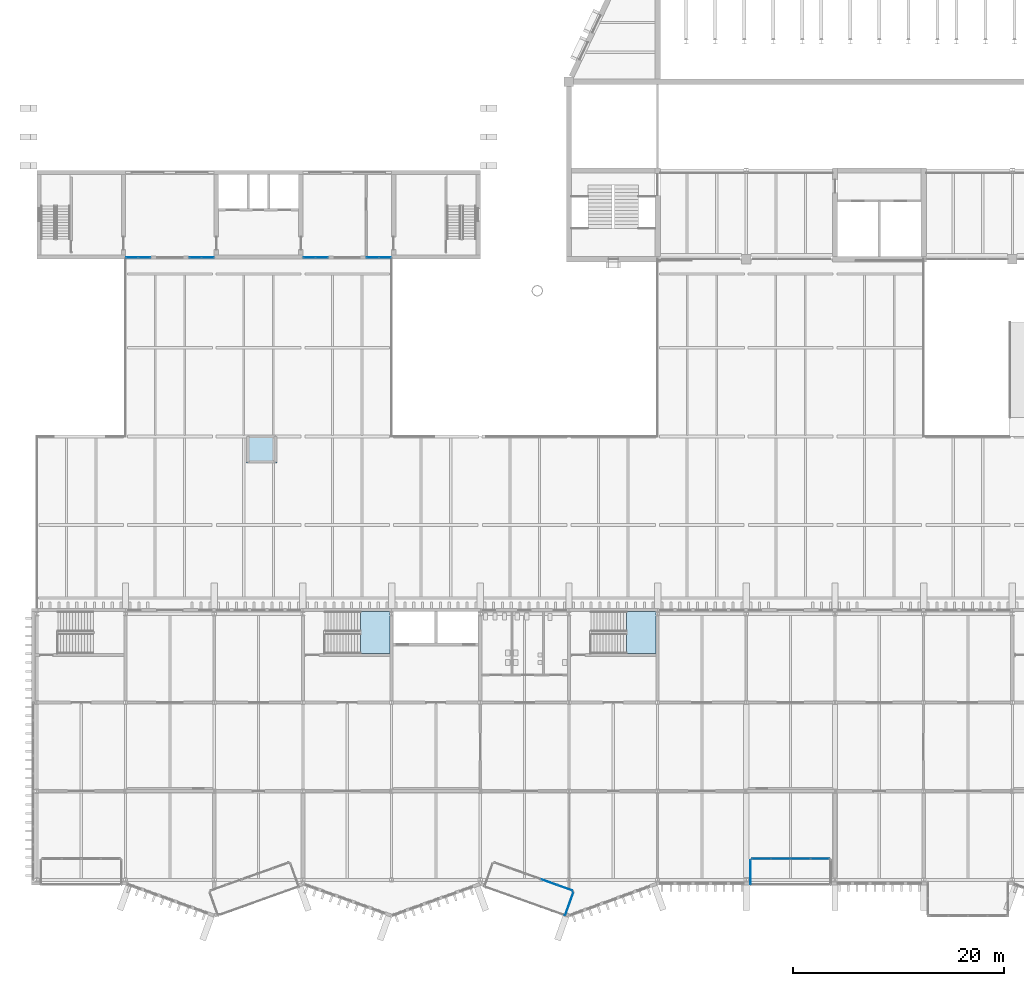
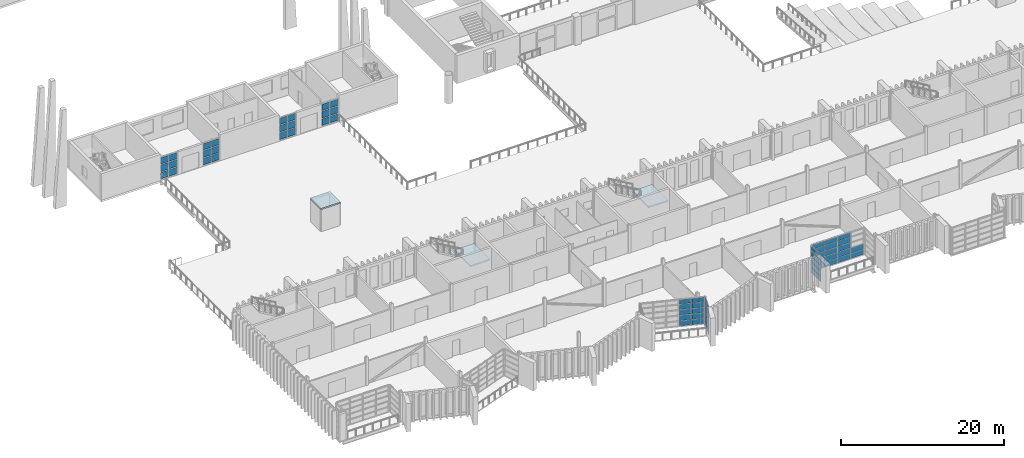
# One storey, part 47 of 96: 61 plates, 3 slabs, 10 elements without a shape of their own.
"""IFC4 building model written with IfcOpenShell, lengths in metres."""

import ifcopenshell
import ifcopenshell.guid

model = None  # the IFC model being written
_history = None  # IfcOwnerHistory: only IFC2X3 demands one
_inside = {}  # id of a spatial element -> (the spatial element, [elements in it])
_under = {}  # id of a project, library or spatial element -> (it, [spatial elements below it])
_declared = {}  # id of a project -> (the project, [libraries it declares])
_typed = {}  # id of a type object -> (the type object, [elements of that type])
_made_of = {}  # id of a material, layer set ... -> (it, [elements and type objects made of it])


def new_model(schema):
    """Start an empty IFC model of exactly this schema.

    Asked for "IFC4X3", IfcOpenShell would pick the latest addendum, in which some entities
    have other attributes; the version numbers below select the first issue.
    IFC2X3 requires an IfcOwnerHistory on every rooted entity: one is made here for all.
    """
    global model, _history
    if schema == "IFC4X3":
        model = ifcopenshell.file(schema_version=(4, 3, 0, 0))
    else:
        model = ifcopenshell.file(schema=schema)
    _inside.clear()
    _under.clear()
    _declared.clear()
    _typed.clear()
    _made_of.clear()
    _history = None
    if model.schema == "IFC2X3":
        org = make("IfcOrganization", Name="unknown")
        user = make(
            "IfcPersonAndOrganization",
            ThePerson=make("IfcPerson", FamilyName="unknown"),
            TheOrganization=org,
        )
        app = make(
            "IfcApplication",
            ApplicationDeveloper=org,
            Version="unknown",
            ApplicationFullName="unknown",
            ApplicationIdentifier="unknown",
        )
        _history = make(
            "IfcOwnerHistory",
            OwningUser=user,
            OwningApplication=app,
            ChangeAction="ADDED",
            CreationDate=0,
        )
    return model


def make(cls, **values):
    """One entity of the class cls with the attributes given. An attribute that is None is left unset."""
    return model.create_entity(
        cls, **{name: value for name, value in values.items() if value is not None}
    )


def rooted(cls, **values):
    """An entity with a GlobalId (a new one), such as an element, a storey or a relation."""
    return make(cls, GlobalId=ifcopenshell.guid.new(), OwnerHistory=_history, **values)


def si_unit(unit_type, name, prefix=None):
    """IfcSIUnit, for example si_unit("LENGTHUNIT", "METRE", prefix="MILLI")."""
    return make("IfcSIUnit", UnitType=unit_type, Prefix=prefix, Name=name)


def assignment(units):
    """IfcUnitAssignment: the units of a project."""
    return None if units is None else make("IfcUnitAssignment", Units=units)


def point(xyz):
    """IfcCartesianPoint."""
    return None if xyz is None else make("IfcCartesianPoint", Coordinates=xyz)


def direction(xyz):
    """IfcDirection."""
    return None if xyz is None else make("IfcDirection", DirectionRatios=xyz)


def frame(location, z_axis=None, x_axis=None):
    """IfcAxis2Placement3D, a coordinate frame: its origin and axes. An axis left out is left unset."""
    return make(
        "IfcAxis2Placement3D",
        Location=point(location),
        Axis=direction(z_axis),
        RefDirection=direction(x_axis),
    )


def frame_2d(location, x_axis=None):
    """IfcAxis2Placement2D, a coordinate frame in the plane: its origin and x axis."""
    return make(
        "IfcAxis2Placement2D", Location=point(location), RefDirection=direction(x_axis)
    )


def origin():
    """The frame at (0, 0, 0) with its axes left unset."""
    return frame((0.0, 0.0, 0.0))


def origin_2d():
    """The frame at (0, 0) in the plane with its x axis left unset."""
    return frame_2d((0.0, 0.0))


def place(relative_to, where):
    """IfcLocalPlacement: puts the frame where relative to a parent placement (None: the world)."""
    return make(
        "IfcLocalPlacement", PlacementRelTo=relative_to, RelativePlacement=where
    )


def context(
    kind, dimensions, precision=None, world=None, true_north=None, identifier=None
):
    """IfcGeometricRepresentationContext, for example the 3D "Model" context."""
    return make(
        "IfcGeometricRepresentationContext",
        ContextIdentifier=identifier,
        ContextType=kind,
        CoordinateSpaceDimension=dimensions,
        Precision=precision,
        WorldCoordinateSystem=world,
        TrueNorth=true_north,
    )


def subcontext(parent, identifier, kind, view, scale=None):
    """IfcGeometricRepresentationSubContext, for example "Body" below "Model"."""
    return make(
        "IfcGeometricRepresentationSubContext",
        ContextIdentifier=identifier,
        ContextType=kind,
        ParentContext=parent,
        TargetScale=scale,
        TargetView=view,
    )


def project(units=None, contexts=None):
    """IfcProject with its units and contexts."""
    return rooted(
        "IfcProject",
        Name="project",
        RepresentationContexts=contexts,
        UnitsInContext=assignment(units),
    )


def spatial(cls, under=None, at=None, **own):
    """A site, building, storey or space (cls), placed at a placement, below another one or the project."""
    s = rooted(cls, ObjectPlacement=at, **own)
    if under is not None:
        _under.setdefault(under.id(), (under, []))[1].append(s)
    return s


def polyline(points):
    """IfcPolyline through the points."""
    return make("IfcPolyline", Points=[point(p) for p in points])


def profile(cls, at=None, kind="AREA", **sizes):
    """A parametric profile (cls). Its sizes go by their IFC names, for example OverallWidth=200.0."""
    return make(cls, ProfileType=kind, Position=at, **sizes)


def rectangle(**sizes):
    """IfcRectangleProfileDef."""
    return profile("IfcRectangleProfileDef", **sizes)


def outline(outer, holes=None, kind="AREA"):
    """IfcArbitraryClosedProfileDef: a profile drawn as a closed curve; with holes, ...WithVoids."""
    if holes is None:
        return make("IfcArbitraryClosedProfileDef", ProfileType=kind, OuterCurve=outer)
    return make(
        "IfcArbitraryProfileDefWithVoids",
        ProfileType=kind,
        OuterCurve=outer,
        InnerCurves=holes,
    )


def extrude(swept, where, along, depth):
    """IfcExtrudedAreaSolid: the profile swept, set in the frame where, extruded along a direction by depth."""
    return make(
        "IfcExtrudedAreaSolid",
        SweptArea=swept,
        Position=where,
        ExtrudedDirection=direction(along),
        Depth=depth,
    )


def shape(context_of_items, identifier, shape_type, items):
    """IfcShapeRepresentation: the items that make up one representation, for example the "Body"."""
    return make(
        "IfcShapeRepresentation",
        ContextOfItems=context_of_items,
        RepresentationIdentifier=identifier,
        RepresentationType=shape_type,
        Items=items,
    )


def material(Name=None, Category=None):
    """IfcMaterial."""
    return make("IfcMaterial", Name=Name, Category=Category)


def layer(
    of_material, thickness, ventilated=None, Name=None, Category=None, Priority=None
):
    """IfcMaterialLayer: one layer of a wall or slab, of a material (None: an air gap)."""
    return make(
        "IfcMaterialLayer",
        Material=of_material,
        LayerThickness=thickness,
        IsVentilated=ventilated,
        Name=Name,
        Category=Category,
        Priority=Priority,
    )


def layer_set(layers, Name=None):
    """IfcMaterialLayerSet."""
    return make("IfcMaterialLayerSet", MaterialLayers=layers, LayerSetName=Name)


def made_of(thing, what):
    """Note that an element or type object is made of a material, layer set ...; save() writes the relation."""
    if what is not None:
        _made_of.setdefault(what.id(), (what, []))[1].append(thing)
    return thing


def type_object(cls, material=None, **own):
    """A type object (cls), such as IfcWallType, which elements share."""
    return made_of(rooted(cls, **own), material)


def element(
    cls,
    number,
    at=None,
    inside=None,
    cuts=None,
    type_object=None,
    material=None,
    context=None,
    identifier="Body",
    shape_type=None,
    held_by="IfcProductDefinitionShape",
    body=None,
    shapes=None,
    **own,
):
    """One element of the class cls, such as IfcWall. Its Tag is "e" and its number.

    at: its placement. inside: the storey or other place that contains it. cuts: it is an
    opening in that element (IfcRelVoidsElement). A single representation is given by context,
    identifier, shape_type and body (its items); several are given by shapes. held_by: the class
    of the entity that holds the representations. save() writes the other relations.
    """
    e = rooted(cls, Tag="e%d" % number, ObjectPlacement=at, **own)
    if body is not None:
        shapes = [shape(context, identifier, shape_type, body)]
    if shapes is not None:
        e.Representation = make(held_by, Representations=shapes)
    if inside is not None:
        _inside.setdefault(inside.id(), (inside, []))[1].append(e)
    if cuts is not None:
        rooted(
            "IfcRelVoidsElement", RelatingBuildingElement=cuts, RelatedOpeningElement=e
        )
    if type_object is not None:
        _typed.setdefault(type_object.id(), (type_object, []))[1].append(e)
    return made_of(e, material)


def aggregate(whole, parts):
    """IfcRelAggregates: a whole, such as a stair, and the parts it consists of."""
    return rooted("IfcRelAggregates", RelatingObject=whole, RelatedObjects=parts)


def save(model, path):
    """Write the relations noted so far, then the file.

    IfcRelAggregates (storeys below a building ...), IfcRelContainedInSpatialStructure (elements
    in a storey), IfcRelDefinesByType, IfcRelAssociatesMaterial and IfcRelDeclares: one each for
    every whole, place, type object, material and project.
    """
    for whole, parts in _under.values():
        aggregate(whole, parts)
    for where, things in _inside.values():
        rooted(
            "IfcRelContainedInSpatialStructure",
            RelatedElements=things,
            RelatingStructure=where,
        )
    for kind, things in _typed.values():
        rooted("IfcRelDefinesByType", RelatedObjects=things, RelatingType=kind)
    for what, things in _made_of.values():
        rooted("IfcRelAssociatesMaterial", RelatedObjects=things, RelatingMaterial=what)
    for by, libraries in _declared.values():
        rooted("IfcRelDeclares", RelatingContext=by, RelatedDefinitions=libraries)
    model.write(path)


model = new_model("IFC4")

# Units and contexts
model_context = context("Model", 3, precision=1e-05, world=origin(), true_north=direction((0.0, 1.0)))
body_context = subcontext(model_context, "Body", "Model", "MODEL_VIEW")
ifc_project = project(units=[si_unit("LENGTHUNIT", "METRE"), si_unit("AREAUNIT", "SQUARE_METRE"), si_unit("VOLUMEUNIT", "CUBIC_METRE"), si_unit("PLANEANGLEUNIT", "RADIAN"), si_unit("MASSUNIT", "GRAM", prefix="KILO")], contexts=[model_context])

# Site, building, storey
site_placement = place(None, origin())
site = spatial("IfcSite", under=ifc_project, at=site_placement, CompositionType="ELEMENT")
building_placement = place(site_placement, origin())
building = spatial("IfcBuilding", under=site, at=building_placement, Name="Cresset Court Congress Hotel", CompositionType="ELEMENT")
storey_placement = place(building_placement, frame((0.0, 0.0, 6.0)))
storey = spatial("IfcBuildingStorey", under=building, at=storey_placement, Name="L01", CompositionType="ELEMENT", Elevation=6.0)

# Curtain wall, plates
ifc_material_1 = material(Name="Aluminium frame with double glazing", Category="aluminium")
ifc_layer_1 = layer(ifc_material_1, 0.199951171875)
ifc_layer_set_1 = layer_set([ifc_layer_1], Name="Glazed box curtain wall 1680 module")
curtain_wall_type_1 = type_object("IfcCurtainWallType", Name="Glazed box curtain wall 1680 module", PredefinedType="NOTDEFINED", material=ifc_layer_set_1)
curtain_wall_1_placement = place(storey_placement, origin())
curtain_wall_1 = element("IfcCurtainWall", 1, at=curtain_wall_1_placement, inside=storey, type_object=curtain_wall_type_1, Name="Glazed box S0109 front", PredefinedType="NOTDEFINED")
ifc_material_2 = material(Name="Toughened double glazing", Category="glass")
ifc_layer_2 = layer(ifc_material_2, 0.028076171875)
ifc_layer_set_2 = layer_set([ifc_layer_2], Name="Box glass panel 28")
plate_type_1 = type_object("IfcPlateType", Name="Box glass panel 28", PredefinedType="CURTAIN_PANEL", material=ifc_layer_set_2)
plate_1_placement = place(storey_placement, frame((77.0400390625, 2.0, 0.06005859375), z_axis=(0.0, 0.0, 1.0), x_axis=(1.0, 0.0, 0.0)))
plate_1 = element("IfcPlate", 2, at=plate_1_placement, type_object=plate_type_1, Name="B-X1 panel 1.1", PredefinedType="CURTAIN_PANEL", context=body_context, shape_type="SweptSolid", body=[
    extrude(rectangle(XDim=1.760009765625, YDim=0.028076171875, at=origin_2d()), origin(), (0.0, 0.0, 1.0), 0.739990234375),
])
plate_2_placement = place(storey_placement, frame((77.0400390625, 2.0, 0.860107421875), z_axis=(0.0, 0.0, 1.0), x_axis=(1.0, 0.0, 0.0)))
plate_2 = element("IfcPlate", 3, at=plate_2_placement, type_object=plate_type_1, Name="B-X1 panel 1.2", PredefinedType="CURTAIN_PANEL", context=body_context, shape_type="SweptSolid", body=[
    extrude(rectangle(XDim=1.760009765625, YDim=0.028076171875, at=origin_2d()), origin(), (0.0, 0.0, 1.0), 0.77001953125),
])
plate_3_placement = place(storey_placement, frame((77.0400390625, 2.0, 1.68994140625), z_axis=(0.0, 0.0, 1.0), x_axis=(1.0, 0.0, 0.0)))
plate_3 = element("IfcPlate", 4, at=plate_3_placement, type_object=plate_type_1, Name="B-X1 panel 1.3", PredefinedType="CURTAIN_PANEL", context=body_context, shape_type="SweptSolid", body=[
    extrude(rectangle(XDim=1.760009765625, YDim=0.028076171875, at=origin_2d()), origin(), (0.0, 0.0, 1.0), 0.77001953125),
])
plate_4_placement = place(storey_placement, frame((77.0400390625, 2.0, 2.52001953125), z_axis=(0.0, 0.0, 1.0), x_axis=(1.0, 0.0, 0.0)))
plate_4 = element("IfcPlate", 5, at=plate_4_placement, type_object=plate_type_1, Name="B-X1 panel 1.4", PredefinedType="CURTAIN_PANEL", context=body_context, shape_type="SweptSolid", body=[
    extrude(rectangle(XDim=1.760009765625, YDim=0.028076171875, at=origin_2d()), origin(), (0.0, 0.0, 1.0), 0.77001953125),
])
plate_5_placement = place(storey_placement, frame((78.875, 2.0, 0.06005859375), z_axis=(0.0, 0.0, 1.0), x_axis=(1.0, 0.0, 0.0)))
plate_5 = element("IfcPlate", 6, at=plate_5_placement, type_object=plate_type_1, Name="B-X1 panel 2.1", PredefinedType="CURTAIN_PANEL", context=body_context, shape_type="SweptSolid", body=[
    extrude(rectangle(XDim=1.7900390625, YDim=0.028076171875, at=origin_2d()), origin(), (0.0, 0.0, 1.0), 0.739990234375),
])
plate_6_placement = place(storey_placement, frame((78.875, 2.0, 0.860107421875), z_axis=(0.0, 0.0, 1.0), x_axis=(1.0, 0.0, 0.0)))
plate_6 = element("IfcPlate", 7, at=plate_6_placement, type_object=plate_type_1, Name="B-X1 panel 2.2", PredefinedType="CURTAIN_PANEL", context=body_context, shape_type="SweptSolid", body=[
    extrude(rectangle(XDim=1.7900390625, YDim=0.028076171875, at=origin_2d()), origin(), (0.0, 0.0, 1.0), 0.77001953125),
])
plate_7_placement = place(storey_placement, frame((78.875, 2.0, 1.68994140625), z_axis=(0.0, 0.0, 1.0), x_axis=(1.0, 0.0, 0.0)))
plate_7 = element("IfcPlate", 8, at=plate_7_placement, type_object=plate_type_1, Name="B-X1 panel 2.3", PredefinedType="CURTAIN_PANEL", context=body_context, shape_type="SweptSolid", body=[
    extrude(rectangle(XDim=1.7900390625, YDim=0.028076171875, at=origin_2d()), origin(), (0.0, 0.0, 1.0), 0.77001953125),
])
plate_8_placement = place(storey_placement, frame((78.875, 2.0, 2.52001953125), z_axis=(0.0, 0.0, 1.0), x_axis=(1.0, 0.0, 0.0)))
plate_8 = element("IfcPlate", 9, at=plate_8_placement, type_object=plate_type_1, Name="B-X1 panel 2.4", PredefinedType="CURTAIN_PANEL", context=body_context, shape_type="SweptSolid", body=[
    extrude(rectangle(XDim=1.7900390625, YDim=0.028076171875, at=origin_2d()), origin(), (0.0, 0.0, 1.0), 0.77001953125),
])
plate_9_placement = place(storey_placement, frame((80.72509765625, 2.0, 0.06005859375), z_axis=(0.0, 0.0, 1.0), x_axis=(1.0, 0.0, 0.0)))
plate_9 = element("IfcPlate", 10, at=plate_9_placement, type_object=plate_type_1, Name="B-X1 panel 3.1", PredefinedType="CURTAIN_PANEL", context=body_context, shape_type="SweptSolid", body=[
    extrude(rectangle(XDim=1.7900390625, YDim=0.028076171875, at=origin_2d()), origin(), (0.0, 0.0, 1.0), 0.739990234375),
])
plate_10_placement = place(storey_placement, frame((80.72509765625, 2.0, 0.860107421875), z_axis=(0.0, 0.0, 1.0), x_axis=(1.0, 0.0, 0.0)))
plate_10 = element("IfcPlate", 11, at=plate_10_placement, type_object=plate_type_1, Name="B-X1 panel 3.2", PredefinedType="CURTAIN_PANEL", context=body_context, shape_type="SweptSolid", body=[
    extrude(rectangle(XDim=1.7900390625, YDim=0.028076171875, at=origin_2d()), origin(), (0.0, 0.0, 1.0), 0.77001953125),
])
plate_11_placement = place(storey_placement, frame((80.72509765625, 2.0, 1.68994140625), z_axis=(0.0, 0.0, 1.0), x_axis=(1.0, 0.0, 0.0)))
plate_11 = element("IfcPlate", 12, at=plate_11_placement, type_object=plate_type_1, Name="B-X1 panel 3.3", PredefinedType="CURTAIN_PANEL", context=body_context, shape_type="SweptSolid", body=[
    extrude(rectangle(XDim=1.7900390625, YDim=0.028076171875, at=origin_2d()), origin(), (0.0, 0.0, 1.0), 0.77001953125),
])
plate_12_placement = place(storey_placement, frame((80.72509765625, 2.0, 2.52001953125), z_axis=(0.0, 0.0, 1.0), x_axis=(1.0, 0.0, 0.0)))
plate_12 = element("IfcPlate", 13, at=plate_12_placement, type_object=plate_type_1, Name="B-X1 panel 3.4", PredefinedType="CURTAIN_PANEL", context=body_context, shape_type="SweptSolid", body=[
    extrude(rectangle(XDim=1.7900390625, YDim=0.028076171875, at=origin_2d()), origin(), (0.0, 0.0, 1.0), 0.77001953125),
])
plate_13_placement = place(storey_placement, frame((82.56005859375, 2.0, 0.06005859375), z_axis=(0.0, 0.0, 1.0), x_axis=(1.0, 0.0, 0.0)))
plate_13 = element("IfcPlate", 14, at=plate_13_placement, type_object=plate_type_1, Name="B-X1 panel 4.1", PredefinedType="CURTAIN_PANEL", context=body_context, shape_type="SweptSolid", body=[
    extrude(rectangle(XDim=1.760009765625, YDim=0.028076171875, at=origin_2d()), origin(), (0.0, 0.0, 1.0), 0.739990234375),
])
plate_14_placement = place(storey_placement, frame((82.56005859375, 2.0, 0.860107421875), z_axis=(0.0, 0.0, 1.0), x_axis=(1.0, 0.0, 0.0)))
plate_14 = element("IfcPlate", 15, at=plate_14_placement, type_object=plate_type_1, Name="B-X1 panel 4.2", PredefinedType="CURTAIN_PANEL", context=body_context, shape_type="SweptSolid", body=[
    extrude(rectangle(XDim=1.760009765625, YDim=0.028076171875, at=origin_2d()), origin(), (0.0, 0.0, 1.0), 0.77001953125),
])

curtain_wall_2_placement = place(storey_placement, origin())
curtain_wall_2 = element("IfcCurtainWall", 16, at=curtain_wall_2_placement, inside=storey, type_object=curtain_wall_type_1, Name="Glazed box S0109 side", PredefinedType="NOTDEFINED")
plate_15_placement = place(storey_placement, frame((76.0, 0.699951171875, 0.06005859375), z_axis=(0.0, 0.0, 1.0), x_axis=(0.0, 1.0, 0.0)))
plate_15 = element("IfcPlate", 17, at=plate_15_placement, type_object=plate_type_1, Name="B-X1 panel 1.1", PredefinedType="CURTAIN_PANEL", context=body_context, shape_type="SweptSolid", body=[
    extrude(rectangle(XDim=2.280029296875, YDim=0.028076171875, at=origin_2d()), origin(), (0.0, 0.0, 1.0), 0.739990234375),
])
plate_16_placement = place(storey_placement, frame((76.0, 0.699951171875, 0.860107421875), z_axis=(0.0, 0.0, 1.0), x_axis=(0.0, 1.0, 0.0)))
plate_16 = element("IfcPlate", 18, at=plate_16_placement, type_object=plate_type_1, Name="B-X1 panel 1.2", PredefinedType="CURTAIN_PANEL", context=body_context, shape_type="SweptSolid", body=[
    extrude(rectangle(XDim=2.280029296875, YDim=0.028076171875, at=origin_2d()), origin(), (0.0, 0.0, 1.0), 0.77001953125),
])
plate_17_placement = place(storey_placement, frame((76.0, 0.699951171875, 1.68994140625), z_axis=(0.0, 0.0, 1.0), x_axis=(0.0, 1.0, 0.0)))
plate_17 = element("IfcPlate", 19, at=plate_17_placement, type_object=plate_type_1, Name="B-X1 panel 1.3", PredefinedType="CURTAIN_PANEL", context=body_context, shape_type="SweptSolid", body=[
    extrude(rectangle(XDim=2.280029296875, YDim=0.028076171875, at=origin_2d()), origin(), (0.0, 0.0, 1.0), 0.77001953125),
])
plate_18_placement = place(storey_placement, frame((76.0, 0.699951171875, 2.52001953125), z_axis=(0.0, 0.0, 1.0), x_axis=(0.0, 1.0, 0.0)))
plate_18 = element("IfcPlate", 20, at=plate_18_placement, type_object=plate_type_1, Name="B-X1 panel 1.4", PredefinedType="CURTAIN_PANEL", context=body_context, shape_type="SweptSolid", body=[
    extrude(rectangle(XDim=2.280029296875, YDim=0.028076171875, at=origin_2d()), origin(), (0.0, 0.0, 1.0), 0.77001953125),
])

curtain_wall_3_placement = place(storey_placement, origin())
curtain_wall_3 = element("IfcCurtainWall", 21, at=curtain_wall_3_placement, inside=storey, type_object=curtain_wall_type_1, Name="Glazed box S0106 front", PredefinedType="NOTDEFINED")
plate_19_placement = place(storey_placement, frame((56.932373046875, -0.228271484375, 0.06005859375), z_axis=(0.0, 0.0, 1.0), x_axis=(0.941741911601, -0.336336396981, 0.0)))
plate_19 = element("IfcPlate", 22, at=plate_19_placement, type_object=plate_type_1, Name="B-X1 panel 4.1", PredefinedType="CURTAIN_PANEL", context=body_context, shape_type="SweptSolid", body=[
    extrude(rectangle(XDim=1.52392578125, YDim=0.028076171875, at=origin_2d()), origin(), (0.0, 0.0, 1.0), 0.739990234375),
])
plate_20_placement = place(storey_placement, frame((56.932373046875, -0.228271484375, 0.860107421875), z_axis=(0.0, 0.0, 1.0), x_axis=(0.941741911601, -0.336336396981, 0.0)))
plate_20 = element("IfcPlate", 23, at=plate_20_placement, type_object=plate_type_1, Name="B-X1 panel 4.2", PredefinedType="CURTAIN_PANEL", context=body_context, shape_type="SweptSolid", body=[
    extrude(rectangle(XDim=1.52392578125, YDim=0.028076171875, at=origin_2d()), origin(), (0.0, 0.0, 1.0), 0.77001953125),
])
plate_21_placement = place(storey_placement, frame((56.932373046875, -0.228271484375, 1.68994140625), z_axis=(0.0, 0.0, 1.0), x_axis=(0.941741911601, -0.336336396981, 0.0)))
plate_21 = element("IfcPlate", 24, at=plate_21_placement, type_object=plate_type_1, Name="B-X1 panel 4.3", PredefinedType="CURTAIN_PANEL", context=body_context, shape_type="SweptSolid", body=[
    extrude(rectangle(XDim=1.52392578125, YDim=0.028076171875, at=origin_2d()), origin(), (0.0, 0.0, 1.0), 0.77001953125),
])
plate_22_placement = place(storey_placement, frame((56.932373046875, -0.228271484375, 2.52001953125), z_axis=(0.0, 0.0, 1.0), x_axis=(0.941741911601, -0.336336396981, 0.0)))
plate_22 = element("IfcPlate", 25, at=plate_22_placement, type_object=plate_type_1, Name="B-X1 panel 4.4", PredefinedType="CURTAIN_PANEL", context=body_context, shape_type="SweptSolid", body=[
    extrude(rectangle(XDim=1.52392578125, YDim=0.028076171875, at=origin_2d()), origin(), (0.0, 0.0, 1.0), 0.77001953125),
])
plate_23_placement = place(storey_placement, frame((58.409912109375, -0.756103515625, 0.06005859375), z_axis=(0.0, 0.0, 1.0), x_axis=(0.941741911601, -0.336336396981, 0.0)))
plate_23 = element("IfcPlate", 26, at=plate_23_placement, type_object=plate_type_1, Name="B-X1 panel 5.1", PredefinedType="CURTAIN_PANEL", context=body_context, shape_type="SweptSolid", body=[
    extrude(rectangle(XDim=1.493896484375, YDim=0.028076171875, at=origin_2d()), origin(), (0.0, 0.0, 1.0), 0.739990234375),
])
plate_24_placement = place(storey_placement, frame((58.409912109375, -0.756103515625, 0.860107421875), z_axis=(0.0, 0.0, 1.0), x_axis=(0.941741911601, -0.336336396981, 0.0)))
plate_24 = element("IfcPlate", 27, at=plate_24_placement, type_object=plate_type_1, Name="B-X1 panel 5.2", PredefinedType="CURTAIN_PANEL", context=body_context, shape_type="SweptSolid", body=[
    extrude(rectangle(XDim=1.493896484375, YDim=0.028076171875, at=origin_2d()), origin(), (0.0, 0.0, 1.0), 0.77001953125),
])
plate_25_placement = place(storey_placement, frame((58.409912109375, -0.756103515625, 1.68994140625), z_axis=(0.0, 0.0, 1.0), x_axis=(0.941741911601, -0.336336396981, 0.0)))
plate_25 = element("IfcPlate", 28, at=plate_25_placement, type_object=plate_type_1, Name="B-X1 panel 5.3", PredefinedType="CURTAIN_PANEL", context=body_context, shape_type="SweptSolid", body=[
    extrude(rectangle(XDim=1.493896484375, YDim=0.028076171875, at=origin_2d()), origin(), (0.0, 0.0, 1.0), 0.77001953125),
])
plate_26_placement = place(storey_placement, frame((58.409912109375, -0.756103515625, 2.52001953125), z_axis=(0.0, 0.0, 1.0), x_axis=(0.941741911601, -0.336336396981, 0.0)))
plate_26 = element("IfcPlate", 29, at=plate_26_placement, type_object=plate_type_1, Name="B-X1 panel 5.4", PredefinedType="CURTAIN_PANEL", context=body_context, shape_type="SweptSolid", body=[
    extrude(rectangle(XDim=1.493896484375, YDim=0.028076171875, at=origin_2d()), origin(), (0.0, 0.0, 1.0), 0.77001953125),
])

curtain_wall_4_placement = place(storey_placement, origin())
curtain_wall_4 = element("IfcCurtainWall", 30, at=curtain_wall_4_placement, inside=storey, type_object=curtain_wall_type_1, Name="Glazed box S0106 side", PredefinedType="NOTDEFINED")
plate_27_placement = place(storey_placement, frame((58.826904296875, -2.285400390625, 0.06005859375), z_axis=(0.0, 0.0, 1.0), x_axis=(0.336336397047, 0.941741911578, 0.0)))
plate_27 = element("IfcPlate", 31, at=plate_27_placement, type_object=plate_type_1, Name="B-X1 panel 1.1", PredefinedType="CURTAIN_PANEL", context=body_context, shape_type="SweptSolid", body=[
    extrude(rectangle(XDim=2.280029296875, YDim=0.028076171875, at=origin_2d()), origin(), (0.0, 0.0, 1.0), 0.739990234375),
])
plate_28_placement = place(storey_placement, frame((58.826904296875, -2.285400390625, 0.860107421875), z_axis=(0.0, 0.0, 1.0), x_axis=(0.336336397047, 0.941741911578, 0.0)))
plate_28 = element("IfcPlate", 32, at=plate_28_placement, type_object=plate_type_1, Name="B-X1 panel 1.2", PredefinedType="CURTAIN_PANEL", context=body_context, shape_type="SweptSolid", body=[
    extrude(rectangle(XDim=2.280029296875, YDim=0.028076171875, at=origin_2d()), origin(), (0.0, 0.0, 1.0), 0.77001953125),
])
plate_29_placement = place(storey_placement, frame((58.826904296875, -2.285400390625, 1.68994140625), z_axis=(0.0, 0.0, 1.0), x_axis=(0.336336397047, 0.941741911578, 0.0)))
plate_29 = element("IfcPlate", 33, at=plate_29_placement, type_object=plate_type_1, Name="B-X1 panel 1.3", PredefinedType="CURTAIN_PANEL", context=body_context, shape_type="SweptSolid", body=[
    extrude(rectangle(XDim=2.280029296875, YDim=0.028076171875, at=origin_2d()), origin(), (0.0, 0.0, 1.0), 0.77001953125),
])
plate_30_placement = place(storey_placement, frame((58.826904296875, -2.285400390625, 2.52001953125), z_axis=(0.0, 0.0, 1.0), x_axis=(0.336336397047, 0.941741911578, 0.0)))
plate_30 = element("IfcPlate", 34, at=plate_30_placement, type_object=plate_type_1, Name="B-X1 panel 1.4", PredefinedType="CURTAIN_PANEL", context=body_context, shape_type="SweptSolid", body=[
    extrude(rectangle(XDim=2.280029296875, YDim=0.028076171875, at=origin_2d()), origin(), (0.0, 0.0, 1.0), 0.77001953125),
])

# Plate
ifc_material_3 = material(Name="Insulated aluminium spandrel panel", Category="aluminium")
ifc_layer_3 = layer(ifc_material_3, 0.0400390625)
ifc_layer_set_3 = layer_set([ifc_layer_3], Name="Box spandrel panel 40")
plate_type_2 = type_object("IfcPlateType", Name="Box spandrel panel 40", PredefinedType="CURTAIN_PANEL", material=ifc_layer_set_3)
plate_31_placement = place(storey_placement, frame((77.0400390625, 2.0, 3.35009765625), z_axis=(0.0, 0.0, 1.0), x_axis=(1.0, 0.0, 0.0)))
plate_31 = element("IfcPlate", 35, at=plate_31_placement, type_object=plate_type_2, Name="B-X1 spandrel panel 1.5", PredefinedType="CURTAIN_PANEL", context=body_context, shape_type="SweptSolid", body=[
    extrude(rectangle(XDim=1.760009765625, YDim=0.0400390625, at=origin_2d()), origin(), (0.0, 0.0, 1.0), 0.639892578125),
])

plate_32_placement = place(storey_placement, frame((78.875, 2.0, 3.35009765625), z_axis=(0.0, 0.0, 1.0), x_axis=(1.0, 0.0, 0.0)))
plate_32 = element("IfcPlate", 36, at=plate_32_placement, type_object=plate_type_2, Name="B-X1 spandrel panel 2.5", PredefinedType="CURTAIN_PANEL", context=body_context, shape_type="SweptSolid", body=[
    extrude(rectangle(XDim=1.7900390625, YDim=0.0400390625, at=origin_2d()), origin(), (0.0, 0.0, 1.0), 0.639892578125),
])

plate_33_placement = place(storey_placement, frame((80.72509765625, 2.0, 3.35009765625), z_axis=(0.0, 0.0, 1.0), x_axis=(1.0, 0.0, 0.0)))
plate_33 = element("IfcPlate", 37, at=plate_33_placement, type_object=plate_type_2, Name="B-X1 spandrel panel 3.5", PredefinedType="CURTAIN_PANEL", context=body_context, shape_type="SweptSolid", body=[
    extrude(rectangle(XDim=1.7900390625, YDim=0.0400390625, at=origin_2d()), origin(), (0.0, 0.0, 1.0), 0.639892578125),
])

aggregate(curtain_wall_1, [plate_1, plate_2, plate_3, plate_4, plate_31, plate_5, plate_6, plate_7, plate_8, plate_32, plate_9, plate_10, plate_11, plate_12, plate_33, plate_13, plate_14])

plate_34_placement = place(storey_placement, frame((76.0, 0.699951171875, 3.35009765625), z_axis=(0.0, 0.0, 1.0), x_axis=(0.0, 1.0, 0.0)))
plate_34 = element("IfcPlate", 38, at=plate_34_placement, type_object=plate_type_2, Name="B-X1 spandrel panel 1.5", PredefinedType="CURTAIN_PANEL", context=body_context, shape_type="SweptSolid", body=[
    extrude(rectangle(XDim=2.280029296875, YDim=0.0400390625, at=origin_2d()), origin(), (0.0, 0.0, 1.0), 0.639892578125),
])

aggregate(curtain_wall_2, [plate_15, plate_16, plate_17, plate_18, plate_34])

plate_35_placement = place(storey_placement, frame((56.932373046875, -0.228271484375, 3.35009765625), z_axis=(0.0, 0.0, 1.0), x_axis=(0.941741911601, -0.336336396981, 0.0)))
plate_35 = element("IfcPlate", 39, at=plate_35_placement, type_object=plate_type_2, Name="B-X1 spandrel panel 4.5", PredefinedType="CURTAIN_PANEL", context=body_context, shape_type="SweptSolid", body=[
    extrude(rectangle(XDim=1.52392578125, YDim=0.0400390625, at=origin_2d()), origin(), (0.0, 0.0, 1.0), 0.639892578125),
])

plate_36_placement = place(storey_placement, frame((58.409912109375, -0.756103515625, 3.35009765625), z_axis=(0.0, 0.0, 1.0), x_axis=(0.941741911601, -0.336336396981, 0.0)))
plate_36 = element("IfcPlate", 40, at=plate_36_placement, type_object=plate_type_2, Name="B-X1 spandrel panel 5.5", PredefinedType="CURTAIN_PANEL", context=body_context, shape_type="SweptSolid", body=[
    extrude(rectangle(XDim=1.493896484375, YDim=0.0400390625, at=origin_2d()), origin(), (0.0, 0.0, 1.0), 0.639892578125),
])

aggregate(curtain_wall_3, [plate_19, plate_20, plate_21, plate_22, plate_35, plate_23, plate_24, plate_25, plate_26, plate_36])

plate_37_placement = place(storey_placement, frame((58.826904296875, -2.285400390625, 3.35009765625), z_axis=(0.0, 0.0, 1.0), x_axis=(0.336336397047, 0.941741911578, 0.0)))
plate_37 = element("IfcPlate", 41, at=plate_37_placement, type_object=plate_type_2, Name="B-X1 spandrel panel 1.5", PredefinedType="CURTAIN_PANEL", context=body_context, shape_type="SweptSolid", body=[
    extrude(rectangle(XDim=2.280029296875, YDim=0.0400390625, at=origin_2d()), origin(), (0.0, 0.0, 1.0), 0.639892578125),
])

aggregate(curtain_wall_4, [plate_27, plate_28, plate_29, plate_30, plate_37])

# Curtain wall, plates
ifc_material_4 = material(Name="Aluminium frame with insulated glass", Category="aluminium")
curtain_wall_type_2 = type_object("IfcCurtainWallType", Name="Curtain wall module 1200", PredefinedType="NOTDEFINED", material=ifc_material_4)
curtain_wall_5_placement = place(storey_placement, origin())
curtain_wall_5 = element("IfcCurtainWall", 42, at=curtain_wall_5_placement, inside=storey, type_object=curtain_wall_type_2, Name="Curtain wall W1", PredefinedType="NOTDEFINED")
ifc_material_5 = material(Name="Laminated glass", Category="glass")
ifc_layer_4 = layer(ifc_material_5, 0.028076171875)
ifc_layer_set_4 = layer_set([ifc_layer_4], Name="Curtain wall glass panel 28")
plate_type_3 = type_object("IfcPlateType", Name="Curtain wall glass panel 28", PredefinedType="CURTAIN_PANEL", material=ifc_layer_set_4)
plate_38_placement = place(storey_placement, frame((17.4150390625, 58.949951171875, 0.1201171875), z_axis=(0.0, 0.0, 1.0), x_axis=(1.0, 0.0, 0.0)))
plate_38 = element("IfcPlate", 43, at=plate_38_placement, type_object=plate_type_3, Name="D-X1 panel 1.1", PredefinedType="CURTAIN_PANEL", context=body_context, shape_type="SweptSolid", body=[
    extrude(rectangle(XDim=1.110107421875, YDim=0.028076171875, at=origin_2d()), origin(), (0.0, 0.0, 1.0), 0.98291015625),
])
plate_39_placement = place(storey_placement, frame((17.4150390625, 58.949951171875, 1.22314453125), z_axis=(0.0, 0.0, 1.0), x_axis=(1.0, 0.0, 0.0)))
plate_39 = element("IfcPlate", 44, at=plate_39_placement, type_object=plate_type_3, Name="D-X1 panel 1.2", PredefinedType="CURTAIN_PANEL", context=body_context, shape_type="SweptSolid", body=[
    extrude(rectangle(XDim=1.110107421875, YDim=0.028076171875, at=origin_2d()), origin(), (0.0, 0.0, 1.0), 1.008056640625),
])
plate_40_placement = place(storey_placement, frame((17.4150390625, 58.949951171875, 2.35107421875), z_axis=(0.0, 0.0, 1.0), x_axis=(1.0, 0.0, 0.0)))
plate_40 = element("IfcPlate", 45, at=plate_40_placement, type_object=plate_type_3, Name="D-X1 panel 1.3", PredefinedType="CURTAIN_PANEL", context=body_context, shape_type="SweptSolid", body=[
    extrude(rectangle(XDim=1.110107421875, YDim=0.028076171875, at=origin_2d()), origin(), (0.0, 0.0, 1.0), 0.948974609375),
])
plate_41_placement = place(storey_placement, frame((18.5849609375, 58.949951171875, 0.1201171875), z_axis=(0.0, 0.0, 1.0), x_axis=(1.0, 0.0, 0.0)))
plate_41 = element("IfcPlate", 46, at=plate_41_placement, type_object=plate_type_3, Name="D-X1 panel 2.1", PredefinedType="CURTAIN_PANEL", context=body_context, shape_type="SweptSolid", body=[
    extrude(rectangle(XDim=1.110107421875, YDim=0.028076171875, at=origin_2d()), origin(), (0.0, 0.0, 1.0), 0.98291015625),
])
plate_42_placement = place(storey_placement, frame((18.5849609375, 58.949951171875, 1.22314453125), z_axis=(0.0, 0.0, 1.0), x_axis=(1.0, 0.0, 0.0)))
plate_42 = element("IfcPlate", 47, at=plate_42_placement, type_object=plate_type_3, Name="D-X1 panel 2.2", PredefinedType="CURTAIN_PANEL", context=body_context, shape_type="SweptSolid", body=[
    extrude(rectangle(XDim=1.110107421875, YDim=0.028076171875, at=origin_2d()), origin(), (0.0, 0.0, 1.0), 1.008056640625),
])
plate_43_placement = place(storey_placement, frame((18.5849609375, 58.949951171875, 2.35107421875), z_axis=(0.0, 0.0, 1.0), x_axis=(1.0, 0.0, 0.0)))
plate_43 = element("IfcPlate", 48, at=plate_43_placement, type_object=plate_type_3, Name="D-X1 panel 2.3", PredefinedType="CURTAIN_PANEL", context=body_context, shape_type="SweptSolid", body=[
    extrude(rectangle(XDim=1.110107421875, YDim=0.028076171875, at=origin_2d()), origin(), (0.0, 0.0, 1.0), 0.948974609375),
])
aggregate(curtain_wall_5, [plate_38, plate_39, plate_40, plate_41, plate_42, plate_43])

curtain_wall_6_placement = place(storey_placement, origin())
curtain_wall_6 = element("IfcCurtainWall", 49, at=curtain_wall_6_placement, inside=storey, type_object=curtain_wall_type_2, Name="Curtain wall W2", PredefinedType="NOTDEFINED")
plate_44_placement = place(storey_placement, frame((23.4150390625, 58.949951171875, 0.1201171875), z_axis=(0.0, 0.0, 1.0), x_axis=(1.0, 0.0, 0.0)))
plate_44 = element("IfcPlate", 50, at=plate_44_placement, type_object=plate_type_3, Name="D-X1 panel 1.1", PredefinedType="CURTAIN_PANEL", context=body_context, shape_type="SweptSolid", body=[
    extrude(rectangle(XDim=1.110107421875, YDim=0.028076171875, at=origin_2d()), origin(), (0.0, 0.0, 1.0), 0.98291015625),
])
plate_45_placement = place(storey_placement, frame((23.4150390625, 58.949951171875, 1.22314453125), z_axis=(0.0, 0.0, 1.0), x_axis=(1.0, 0.0, 0.0)))
plate_45 = element("IfcPlate", 51, at=plate_45_placement, type_object=plate_type_3, Name="D-X1 panel 1.2", PredefinedType="CURTAIN_PANEL", context=body_context, shape_type="SweptSolid", body=[
    extrude(rectangle(XDim=1.110107421875, YDim=0.028076171875, at=origin_2d()), origin(), (0.0, 0.0, 1.0), 1.008056640625),
])
plate_46_placement = place(storey_placement, frame((23.4150390625, 58.949951171875, 2.35107421875), z_axis=(0.0, 0.0, 1.0), x_axis=(1.0, 0.0, 0.0)))
plate_46 = element("IfcPlate", 52, at=plate_46_placement, type_object=plate_type_3, Name="D-X1 panel 1.3", PredefinedType="CURTAIN_PANEL", context=body_context, shape_type="SweptSolid", body=[
    extrude(rectangle(XDim=1.110107421875, YDim=0.028076171875, at=origin_2d()), origin(), (0.0, 0.0, 1.0), 0.948974609375),
])
plate_47_placement = place(storey_placement, frame((24.5849609375, 58.949951171875, 0.1201171875), z_axis=(0.0, 0.0, 1.0), x_axis=(1.0, 0.0, 0.0)))
plate_47 = element("IfcPlate", 53, at=plate_47_placement, type_object=plate_type_3, Name="D-X1 panel 2.1", PredefinedType="CURTAIN_PANEL", context=body_context, shape_type="SweptSolid", body=[
    extrude(rectangle(XDim=1.110107421875, YDim=0.028076171875, at=origin_2d()), origin(), (0.0, 0.0, 1.0), 0.98291015625),
])
plate_48_placement = place(storey_placement, frame((24.5849609375, 58.949951171875, 1.22314453125), z_axis=(0.0, 0.0, 1.0), x_axis=(1.0, 0.0, 0.0)))
plate_48 = element("IfcPlate", 54, at=plate_48_placement, type_object=plate_type_3, Name="D-X1 panel 2.2", PredefinedType="CURTAIN_PANEL", context=body_context, shape_type="SweptSolid", body=[
    extrude(rectangle(XDim=1.110107421875, YDim=0.028076171875, at=origin_2d()), origin(), (0.0, 0.0, 1.0), 1.008056640625),
])
plate_49_placement = place(storey_placement, frame((24.5849609375, 58.949951171875, 2.35107421875), z_axis=(0.0, 0.0, 1.0), x_axis=(1.0, 0.0, 0.0)))
plate_49 = element("IfcPlate", 55, at=plate_49_placement, type_object=plate_type_3, Name="D-X1 panel 2.3", PredefinedType="CURTAIN_PANEL", context=body_context, shape_type="SweptSolid", body=[
    extrude(rectangle(XDim=1.110107421875, YDim=0.028076171875, at=origin_2d()), origin(), (0.0, 0.0, 1.0), 0.948974609375),
])
aggregate(curtain_wall_6, [plate_44, plate_45, plate_46, plate_47, plate_48, plate_49])

curtain_wall_7_placement = place(storey_placement, origin())
curtain_wall_7 = element("IfcCurtainWall", 56, at=curtain_wall_7_placement, inside=storey, type_object=curtain_wall_type_2, Name="Curtain wall E1", PredefinedType="NOTDEFINED")
plate_50_placement = place(storey_placement, frame((34.215087890625, 58.949951171875, 0.1201171875), z_axis=(0.0, 0.0, 1.0), x_axis=(1.0, 0.0, 0.0)))
plate_50 = element("IfcPlate", 57, at=plate_50_placement, type_object=plate_type_3, Name="D-X1 panel 1.1", PredefinedType="CURTAIN_PANEL", context=body_context, shape_type="SweptSolid", body=[
    extrude(rectangle(XDim=1.110107421875, YDim=0.028076171875, at=origin_2d()), origin(), (0.0, 0.0, 1.0), 0.98291015625),
])
plate_51_placement = place(storey_placement, frame((34.215087890625, 58.949951171875, 1.22314453125), z_axis=(0.0, 0.0, 1.0), x_axis=(1.0, 0.0, 0.0)))
plate_51 = element("IfcPlate", 58, at=plate_51_placement, type_object=plate_type_3, Name="D-X1 panel 1.2", PredefinedType="CURTAIN_PANEL", context=body_context, shape_type="SweptSolid", body=[
    extrude(rectangle(XDim=1.110107421875, YDim=0.028076171875, at=origin_2d()), origin(), (0.0, 0.0, 1.0), 1.008056640625),
])
plate_52_placement = place(storey_placement, frame((34.215087890625, 58.949951171875, 2.35107421875), z_axis=(0.0, 0.0, 1.0), x_axis=(1.0, 0.0, 0.0)))
plate_52 = element("IfcPlate", 59, at=plate_52_placement, type_object=plate_type_3, Name="D-X1 panel 1.3", PredefinedType="CURTAIN_PANEL", context=body_context, shape_type="SweptSolid", body=[
    extrude(rectangle(XDim=1.110107421875, YDim=0.028076171875, at=origin_2d()), origin(), (0.0, 0.0, 1.0), 0.948974609375),
])
plate_53_placement = place(storey_placement, frame((35.385009765625, 58.949951171875, 0.1201171875), z_axis=(0.0, 0.0, 1.0), x_axis=(1.0, 0.0, 0.0)))
plate_53 = element("IfcPlate", 60, at=plate_53_placement, type_object=plate_type_3, Name="D-X1 panel 2.1", PredefinedType="CURTAIN_PANEL", context=body_context, shape_type="SweptSolid", body=[
    extrude(rectangle(XDim=1.110107421875, YDim=0.028076171875, at=origin_2d()), origin(), (0.0, 0.0, 1.0), 0.98291015625),
])
plate_54_placement = place(storey_placement, frame((35.385009765625, 58.949951171875, 1.22314453125), z_axis=(0.0, 0.0, 1.0), x_axis=(1.0, 0.0, 0.0)))
plate_54 = element("IfcPlate", 61, at=plate_54_placement, type_object=plate_type_3, Name="D-X1 panel 2.2", PredefinedType="CURTAIN_PANEL", context=body_context, shape_type="SweptSolid", body=[
    extrude(rectangle(XDim=1.110107421875, YDim=0.028076171875, at=origin_2d()), origin(), (0.0, 0.0, 1.0), 1.008056640625),
])
plate_55_placement = place(storey_placement, frame((35.385009765625, 58.949951171875, 2.35107421875), z_axis=(0.0, 0.0, 1.0), x_axis=(1.0, 0.0, 0.0)))
plate_55 = element("IfcPlate", 62, at=plate_55_placement, type_object=plate_type_3, Name="D-X1 panel 2.3", PredefinedType="CURTAIN_PANEL", context=body_context, shape_type="SweptSolid", body=[
    extrude(rectangle(XDim=1.110107421875, YDim=0.028076171875, at=origin_2d()), origin(), (0.0, 0.0, 1.0), 0.948974609375),
])
aggregate(curtain_wall_7, [plate_50, plate_51, plate_52, plate_53, plate_54, plate_55])

curtain_wall_8_placement = place(storey_placement, origin())
curtain_wall_8 = element("IfcCurtainWall", 63, at=curtain_wall_8_placement, inside=storey, type_object=curtain_wall_type_2, Name="Curtain wall E2", PredefinedType="NOTDEFINED")
plate_56_placement = place(storey_placement, frame((40.215087890625, 58.949951171875, 0.1201171875), z_axis=(0.0, 0.0, 1.0), x_axis=(1.0, 0.0, 0.0)))
plate_56 = element("IfcPlate", 64, at=plate_56_placement, type_object=plate_type_3, Name="D-X1 panel 1.1", PredefinedType="CURTAIN_PANEL", context=body_context, shape_type="SweptSolid", body=[
    extrude(rectangle(XDim=1.110107421875, YDim=0.028076171875, at=origin_2d()), origin(), (0.0, 0.0, 1.0), 0.98291015625),
])
plate_57_placement = place(storey_placement, frame((40.215087890625, 58.949951171875, 1.22314453125), z_axis=(0.0, 0.0, 1.0), x_axis=(1.0, 0.0, 0.0)))
plate_57 = element("IfcPlate", 65, at=plate_57_placement, type_object=plate_type_3, Name="D-X1 panel 1.2", PredefinedType="CURTAIN_PANEL", context=body_context, shape_type="SweptSolid", body=[
    extrude(rectangle(XDim=1.110107421875, YDim=0.028076171875, at=origin_2d()), origin(), (0.0, 0.0, 1.0), 1.008056640625),
])
plate_58_placement = place(storey_placement, frame((40.215087890625, 58.949951171875, 2.35107421875), z_axis=(0.0, 0.0, 1.0), x_axis=(1.0, 0.0, 0.0)))
plate_58 = element("IfcPlate", 66, at=plate_58_placement, type_object=plate_type_3, Name="D-X1 panel 1.3", PredefinedType="CURTAIN_PANEL", context=body_context, shape_type="SweptSolid", body=[
    extrude(rectangle(XDim=1.110107421875, YDim=0.028076171875, at=origin_2d()), origin(), (0.0, 0.0, 1.0), 0.948974609375),
])
plate_59_placement = place(storey_placement, frame((41.385009765625, 58.949951171875, 0.1201171875), z_axis=(0.0, 0.0, 1.0), x_axis=(1.0, 0.0, 0.0)))
plate_59 = element("IfcPlate", 67, at=plate_59_placement, type_object=plate_type_3, Name="D-X1 panel 2.1", PredefinedType="CURTAIN_PANEL", context=body_context, shape_type="SweptSolid", body=[
    extrude(rectangle(XDim=1.110107421875, YDim=0.028076171875, at=origin_2d()), origin(), (0.0, 0.0, 1.0), 0.98291015625),
])
plate_60_placement = place(storey_placement, frame((41.385009765625, 58.949951171875, 1.22314453125), z_axis=(0.0, 0.0, 1.0), x_axis=(1.0, 0.0, 0.0)))
plate_60 = element("IfcPlate", 68, at=plate_60_placement, type_object=plate_type_3, Name="D-X1 panel 2.2", PredefinedType="CURTAIN_PANEL", context=body_context, shape_type="SweptSolid", body=[
    extrude(rectangle(XDim=1.110107421875, YDim=0.028076171875, at=origin_2d()), origin(), (0.0, 0.0, 1.0), 1.008056640625),
])
plate_61_placement = place(storey_placement, frame((41.385009765625, 58.949951171875, 2.35107421875), z_axis=(0.0, 0.0, 1.0), x_axis=(1.0, 0.0, 0.0)))
plate_61 = element("IfcPlate", 69, at=plate_61_placement, type_object=plate_type_3, Name="D-X1 panel 2.3", PredefinedType="CURTAIN_PANEL", context=body_context, shape_type="SweptSolid", body=[
    extrude(rectangle(XDim=1.110107421875, YDim=0.028076171875, at=origin_2d()), origin(), (0.0, 0.0, 1.0), 0.948974609375),
])
aggregate(curtain_wall_8, [plate_56, plate_57, plate_58, plate_59, plate_60, plate_61])

# Slab
ifc_material_6 = material(Name="Concrete C35", Category="concrete")
ifc_layer_5 = layer(ifc_material_6, 0.199951171875)
ifc_layer_set_5 = layer_set([ifc_layer_5], Name="Kiosk roof slab 200")
slab_type_1 = type_object("IfcSlabType", Name="Kiosk roof slab 200", PredefinedType="ROOF", material=ifc_layer_set_5)
slab_1_placement = place(storey_placement, frame((0.0, 0.0, 3.300048828125)))
element("IfcSlab", 70, at=slab_1_placement, inside=storey, type_object=slab_type_1, Name="S.lift.L01.LF-S2.roof", PredefinedType="ROOF", context=body_context, shape_type="SweptSolid", body=[
    extrude(outline(polyline([(28.27490234375, 39.47509765625), (31.125, 39.47509765625), (31.125, 42.125), (28.27490234375, 42.125), (28.27490234375, 39.47509765625)])), origin(), (0.0, 0.0, 1.0), 0.199951171875),
])

# Stair, slab
ifc_material_7 = material(Name="Concrete C40", Category="concrete")
stair_type = type_object("IfcStairType", Name="Dog-leg stair 1400 flights", PredefinedType="HALF_TURN_STAIR", material=ifc_material_7)
stair_1_placement = place(storey_placement, origin())
stair_1 = element("IfcStair", 71, at=stair_1_placement, inside=storey, type_object=stair_type, Name="L01 Stair ST-B2", PredefinedType="HALF_TURN_STAIR")
ifc_material_8 = material(Name="Concrete C40", Category="concrete")
ifc_layer_6 = layer(ifc_material_8, 0.199951171875)
ifc_layer_set_6 = layer_set([ifc_layer_6], Name="Stair landing 200")
slab_type_2 = type_object("IfcSlabType", Name="Stair landing 200", PredefinedType="LANDING", material=ifc_layer_set_6)
slab_2_placement = place(storey_placement, frame((0.0, 0.0, 1.89990234375)))
slab_2 = element("IfcSlab", 72, at=slab_2_placement, type_object=slab_type_2, Name="ST-B2 landing 1", PredefinedType="LANDING", context=body_context, shape_type="SweptSolid", body=[
    extrude(outline(polyline([(39.06005859375, 21.449951171875), (41.85009765625, 21.449951171875), (41.85009765625, 25.39990234375), (39.06005859375, 25.39990234375), (39.06005859375, 21.449951171875)])), origin(), (0.0, 0.0, 1.0), 0.2001953125),
])
aggregate(stair_1, [slab_2])

stair_2_placement = place(storey_placement, origin())
stair_2 = element("IfcStair", 73, at=stair_2_placement, inside=storey, type_object=stair_type, Name="L01 Stair ST-B3", PredefinedType="HALF_TURN_STAIR")
slab_3_placement = place(storey_placement, frame((0.0, 0.0, 1.89990234375)))
slab_3 = element("IfcSlab", 74, at=slab_3_placement, type_object=slab_type_2, Name="ST-B3 landing 1", PredefinedType="LANDING", context=body_context, shape_type="SweptSolid", body=[
    extrude(outline(polyline([(64.260009765625, 21.449951171875), (67.050048828125, 21.449951171875), (67.050048828125, 25.39990234375), (64.260009765625, 25.39990234375), (64.260009765625, 21.449951171875)])), origin(), (0.0, 0.0, 1.0), 0.2001953125),
])
aggregate(stair_2, [slab_3])

save(model, "model.ifc")
